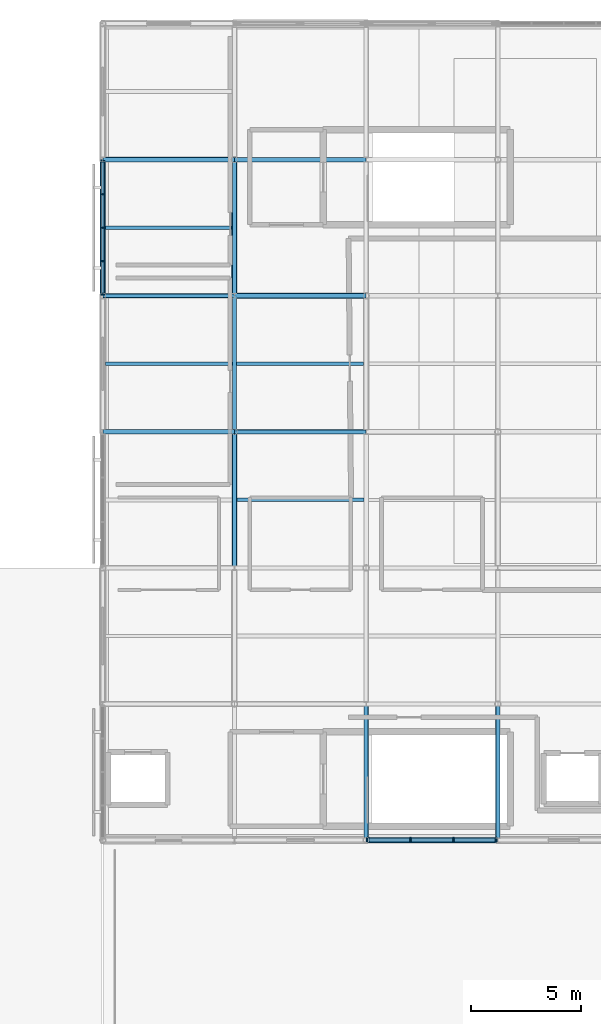
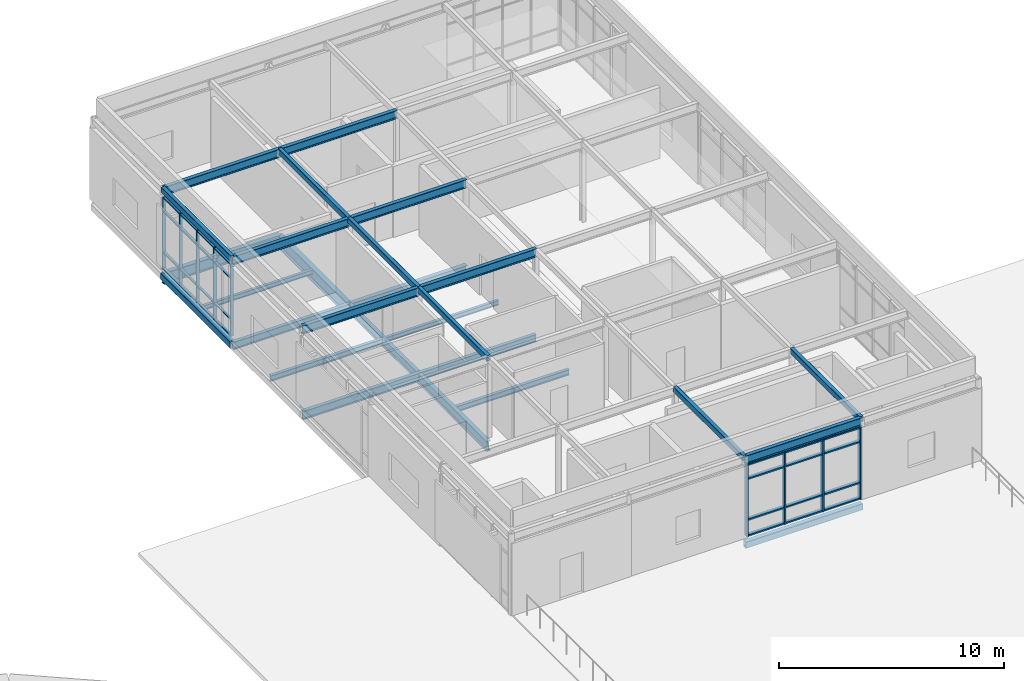
# One storey, part 7 of 16: 37 members, 27 beams, 2 elements without a shape of their own.
"""IFC4 building model written with IfcOpenShell, lengths in metres."""

from ifc_helpers import new_model, si_unit, direction, frame, origin, origin_2d, place, context, subcontext, project, spatial, rectangle, hollow_rectangle, i_section, extrude, material, layer, layer_set, material_profile, profile_set, type_object, element, aggregate, save


model = new_model("IFC4")

# Units and contexts
model_context = context("Model", 3, precision=1e-05, world=origin(), true_north=direction((0.0, 1.0)))
body_context = subcontext(model_context, "Body", "Model", "MODEL_VIEW")
ifc_project = project(units=[si_unit("LENGTHUNIT", "METRE"), si_unit("AREAUNIT", "SQUARE_METRE"), si_unit("VOLUMEUNIT", "CUBIC_METRE"), si_unit("PLANEANGLEUNIT", "RADIAN"), si_unit("MASSUNIT", "GRAM", prefix="KILO")], contexts=[model_context])

# Site, building, storey
site_placement = place(None, origin())
site = spatial("IfcSite", under=ifc_project, at=site_placement, CompositionType="ELEMENT")
building_placement = place(site_placement, origin())
building = spatial("IfcBuilding", under=site, at=building_placement, Name="Mirzam Square Science Centre", CompositionType="ELEMENT")
storey_placement = place(building_placement, frame((0.0, 0.0, 25.199951171875)))
storey = spatial("IfcBuildingStorey", under=building, at=storey_placement, Name="L05", CompositionType="ELEMENT", Elevation=25.199951171875)

# Beams
ifc_material_1 = material(Name="Steel S355", Category="steel")
ifc_material_profile_1 = material_profile(ifc_material_1, i_section(OverallWidth=0.1787109375, OverallDepth=0.409423828125, WebThickness=0.0087890625, FlangeThickness=0.014404296875, FilletRadius=0.01025390625, at=origin_2d()), Name="406x178x67UB")
ifc_profile_set_1 = profile_set([ifc_material_profile_1], Name="Steel S355")
beam_type_1 = type_object("IfcBeamType", Name="BM-UB406", PredefinedType="BEAM", material=ifc_profile_set_1)
for number, where, z_axis, x_axis, name in (
    (1, (120.0, 93.0, -0.45458984375), (1.0, 0.0, 0.0), (0.0, 1.0, 0.0), "L05 girder X21-16"),
    (2, (114.0, 99.199951171875, -0.45458984375), (1.0, 0.0, 0.0), (0.0, 1.0, 0.0), "L05 girder X20-17"),
):
    element("IfcBeam", number, at=place(storey_placement, frame(where, z_axis=z_axis, x_axis=x_axis)), inside=storey, type_object=beam_type_1, Name=name, PredefinedType="BEAM", context=body_context, shape_type="SweptSolid", body=[
        extrude(i_section(OverallWidth=0.1787109375, OverallDepth=0.409423828125, WebThickness=0.0087890625, FlangeThickness=0.014404296875, FilletRadius=0.01025390625, at=origin_2d()), origin(), (0.0, 0.0, 1.0), 6.0),
    ])
ifc_material_profile_2 = material_profile(ifc_material_1, i_section(OverallWidth=0.19140625, OverallDepth=0.4599609375, WebThickness=0.010009765625, FlangeThickness=0.01611328125, FilletRadius=0.01025390625, at=origin_2d()), Name="457x191x82UB")
ifc_profile_set_2 = profile_set([ifc_material_profile_2], Name="Steel S355")
beam_type_2 = type_object("IfcBeamType", Name="BM-UB457", PredefinedType="BEAM", material=ifc_profile_set_2)
beam_1_placement = place(storey_placement, frame((114.0, 93.0, -0.47998046875), z_axis=(1.0, 0.0, 0.0), x_axis=(0.0, 1.0, 0.0)))
element("IfcBeam", 3, at=beam_1_placement, inside=storey, type_object=beam_type_2, Name="L05 girder X20-16", PredefinedType="BEAM", context=body_context, shape_type="SweptSolid", body=[
    extrude(i_section(OverallWidth=0.19140625, OverallDepth=0.4599609375, WebThickness=0.010009765625, FlangeThickness=0.01611328125, FilletRadius=0.01025390625, at=origin_2d()), origin(), (0.0, 0.0, 1.0), 6.0),
])
beam_2_placement = place(storey_placement, frame((120.0, 93.0, -0.47998046875), z_axis=(0.0, 1.0, 0.0), x_axis=(-1.0, 0.0, 0.0)))
element("IfcBeam", 4, at=beam_2_placement, inside=storey, type_object=beam_type_2, Name="L05 girder Y21-16", PredefinedType="BEAM", context=body_context, shape_type="SweptSolid", body=[
    extrude(i_section(OverallWidth=0.19140625, OverallDepth=0.4599609375, WebThickness=0.010009765625, FlangeThickness=0.01611328125, FilletRadius=0.01025390625, at=origin_2d()), origin(), (0.0, 0.0, 1.0), 6.199951171875),
])
for number, where, z_axis, x_axis, name in (
    (5, (126.0, 74.39990234375, 4.179931640625), (1.0, 0.0, 0.0), (0.0, 1.0, 0.0), "Observatory roof beam 22-13"),
    (6, (114.0, 93.0, 4.179931640625), (1.0, 0.0, 0.0), (0.0, 1.0, 0.0), "Observatory roof beam 20-16"),
    (7, (120.0, 93.0, 4.179931640625), (1.0, 0.0, 0.0), (0.0, 1.0, 0.0), "Observatory roof beam 21-16"),
    (8, (114.0, 99.199951171875, 4.179931640625), (1.0, 0.0, 0.0), (0.0, 1.0, 0.0), "Observatory roof beam 20-17"),
    (9, (120.0, 99.199951171875, 4.179931640625), (1.0, 0.0, 0.0), (0.0, 1.0, 0.0), "Observatory roof beam 21-17"),
    (10, (114.0, 105.39990234375, 4.179931640625), (1.0, 0.0, 0.0), (0.0, 1.0, 0.0), "Observatory roof beam 20-18"),
    (11, (120.0, 105.39990234375, 4.179931640625), (1.0, 0.0, 0.0), (0.0, 1.0, 0.0), "Observatory roof beam 21-18"),
):
    element("IfcBeam", number, at=place(storey_placement, frame(where, z_axis=z_axis, x_axis=x_axis)), inside=storey, type_object=beam_type_2, Name=name, PredefinedType="BEAM", context=body_context, shape_type="SweptSolid", body=[
        extrude(i_section(OverallWidth=0.19140625, OverallDepth=0.4599609375, WebThickness=0.010009765625, FlangeThickness=0.01611328125, FilletRadius=0.01025390625, at=origin_2d()), origin(), (0.0, 0.0, 1.0), 6.0),
    ])
ifc_material_profile_3 = material_profile(ifc_material_1, i_section(OverallWidth=0.2099609375, OverallDepth=0.53662109375, WebThickness=0.0107421875, FlangeThickness=0.017333984375, FilletRadius=0.0126953125, at=origin_2d()), Name="533x210x101UB")
ifc_profile_set_3 = profile_set([ifc_material_profile_3], Name="Steel S355")
beam_type_3 = type_object("IfcBeamType", Name="BM-UB533", PredefinedType="BEAM", material=ifc_profile_set_3)
beam_3_placement = place(storey_placement, frame((120.0, 86.800048828125, -0.518310546875), z_axis=(0.0, 1.0, 0.0), x_axis=(-1.0, 0.0, 0.0)))
element("IfcBeam", 12, at=beam_3_placement, inside=storey, type_object=beam_type_3, Name="L05 girder Y21-15", PredefinedType="BEAM", context=body_context, shape_type="SweptSolid", body=[
    extrude(i_section(OverallWidth=0.2099609375, OverallDepth=0.53662109375, WebThickness=0.0107421875, FlangeThickness=0.017333984375, FilletRadius=0.0126953125, at=origin_2d()), origin(), (0.0, 0.0, 1.0), 6.199951171875),
])
ifc_material_profile_4 = material_profile(ifc_material_1, i_section(OverallWidth=0.22900390625, OverallDepth=0.6123046875, WebThickness=0.011962890625, FlangeThickness=0.01953125, FilletRadius=0.0126953125, at=origin_2d()), Name="610x229x125UB")
ifc_profile_set_4 = profile_set([ifc_material_profile_4], Name="Steel S355")
beam_type_4 = type_object("IfcBeamType", Name="BM-UB610", PredefinedType="BEAM", material=ifc_profile_set_4)
for number, where, z_axis, x_axis, name in (
    (13, (120.0, 99.199951171875, -0.55615234375), (1.0, 0.0, 0.0), (0.0, 1.0, 0.0), "L05 girder X21-17"),
    (14, (114.0, 105.39990234375, -0.55615234375), (1.0, 0.0, 0.0), (0.0, 1.0, 0.0), "L05 girder X20-18"),
):
    element("IfcBeam", number, at=place(storey_placement, frame(where, z_axis=z_axis, x_axis=x_axis)), inside=storey, type_object=beam_type_4, Name=name, PredefinedType="BEAM", context=body_context, shape_type="SweptSolid", body=[
        extrude(i_section(OverallWidth=0.22900390625, OverallDepth=0.6123046875, WebThickness=0.011962890625, FlangeThickness=0.01953125, FilletRadius=0.0126953125, at=origin_2d()), origin(), (0.0, 0.0, 1.0), 6.0),
    ])
ifc_material_profile_5 = material_profile(ifc_material_1, i_section(OverallWidth=0.25439453125, OverallDepth=0.6875, WebThickness=0.01318359375, FlangeThickness=0.02099609375, FilletRadius=0.01513671875, at=origin_2d()), Name="686x254x152UB")
ifc_profile_set_5 = profile_set([ifc_material_profile_5], Name="Steel S355")
beam_type_5 = type_object("IfcBeamType", Name="BM-UB686", PredefinedType="BEAM", material=ifc_profile_set_5)
beam_4_placement = place(storey_placement, frame((120.0, 99.199951171875, -0.59375), z_axis=(0.0, 1.0, 0.0), x_axis=(-1.0, 0.0, 0.0)))
element("IfcBeam", 15, at=beam_4_placement, inside=storey, type_object=beam_type_5, Name="L05 girder Y21-17", PredefinedType="BEAM", context=body_context, shape_type="SweptSolid", body=[
    extrude(i_section(OverallWidth=0.25439453125, OverallDepth=0.6875, WebThickness=0.01318359375, FlangeThickness=0.02099609375, FilletRadius=0.01513671875, at=origin_2d()), origin(), (0.0, 0.0, 1.0), 6.199951171875),
])

# Curtain wall, members
ifc_material_2 = material(Name="Anodised Aluminium and Low-E Solar Glass", Category="aluminium")
ifc_layer_1 = layer(ifc_material_2, 0.159912109375)
ifc_layer_set_1 = layer_set([ifc_layer_1], Name="CW-COURT-B")
curtain_wall_type_1 = type_object("IfcCurtainWallType", Name="CW-COURT-B", PredefinedType="USERDEFINED", material=ifc_layer_set_1)
curtain_wall_1_placement = place(storey_placement, origin())
curtain_wall_1 = element("IfcCurtainWall", 16, at=curtain_wall_1_placement, inside=storey, type_object=curtain_wall_type_1, Name="L05 unitised curtain wall 171", ObjectType="UNITISED CURTAIN WALL", PredefinedType="USERDEFINED")
ifc_material_3 = material(Name="Anodised Architectural Aluminium 6063-T6", Category="aluminium")
ifc_material_profile_6 = material_profile(ifc_material_3, rectangle(XDim=0.06005859375, YDim=0.159912109375, at=origin_2d()), Name="ALU-MULL-160x60x4")
ifc_profile_set_6 = profile_set([ifc_material_profile_6], Name="Anodised Architectural Aluminium 6063-T6")
member_type_1 = type_object("IfcMemberType", Name="CWM-160", PredefinedType="MULLION", material=ifc_profile_set_6)
member_1_placement = place(storey_placement, frame((114.0, 105.31494140625, 0.0), z_axis=(0.0, 0.0, 1.0), x_axis=(0.0, -1.0, 0.0)))
member_1 = element("IfcMember", 17, at=member_1_placement, type_object=member_type_1, Name="CW-04 mullion 1", PredefinedType="MULLION", context=body_context, shape_type="SweptSolid", body=[
    extrude(rectangle(XDim=0.06005859375, YDim=0.159912109375, at=origin_2d()), origin(), (0.0, 0.0, 1.0), 3.920166015625),
])
member_2_placement = place(storey_placement, frame((114.0, 103.822509765625, 0.0), z_axis=(0.0, 0.0, 1.0), x_axis=(0.0, -1.0, 0.0)))
member_2 = element("IfcMember", 18, at=member_2_placement, type_object=member_type_1, Name="CW-04 mullion 2", PredefinedType="MULLION", context=body_context, shape_type="SweptSolid", body=[
    extrude(rectangle(XDim=0.06005859375, YDim=0.159912109375, at=origin_2d()), origin(), (0.0, 0.0, 1.0), 3.920166015625),
])
member_3_placement = place(storey_placement, frame((114.0, 102.300048828125, 0.0), z_axis=(0.0, 0.0, 1.0), x_axis=(0.0, -1.0, 0.0)))
member_3 = element("IfcMember", 19, at=member_3_placement, type_object=member_type_1, Name="CW-04 mullion 3", PredefinedType="MULLION", context=body_context, shape_type="SweptSolid", body=[
    extrude(rectangle(XDim=0.06005859375, YDim=0.159912109375, at=origin_2d()), origin(), (0.0, 0.0, 1.0), 3.920166015625),
])
member_4_placement = place(storey_placement, frame((114.0, 100.777587890625, 0.0), z_axis=(0.0, 0.0, 1.0), x_axis=(0.0, -1.0, 0.0)))
member_4 = element("IfcMember", 20, at=member_4_placement, type_object=member_type_1, Name="CW-04 mullion 4", PredefinedType="MULLION", context=body_context, shape_type="SweptSolid", body=[
    extrude(rectangle(XDim=0.06005859375, YDim=0.159912109375, at=origin_2d()), origin(), (0.0, 0.0, 1.0), 3.920166015625),
])
member_5_placement = place(storey_placement, frame((114.0, 99.284912109375, 0.0), z_axis=(0.0, 0.0, 1.0), x_axis=(0.0, -1.0, 0.0)))
member_5 = element("IfcMember", 21, at=member_5_placement, type_object=member_type_1, Name="CW-04 mullion 5", PredefinedType="MULLION", context=body_context, shape_type="SweptSolid", body=[
    extrude(rectangle(XDim=0.06005859375, YDim=0.159912109375, at=origin_2d()), origin(), (0.0, 0.0, 1.0), 3.920166015625),
])

ifc_layer_2 = layer(ifc_material_2, 0.239990234375)
ifc_layer_set_2 = layer_set([ifc_layer_2], Name="CW-EAST-B")
curtain_wall_type_2 = type_object("IfcCurtainWallType", Name="CW-EAST-B", PredefinedType="USERDEFINED", material=ifc_layer_set_2)
curtain_wall_2_placement = place(storey_placement, origin())
curtain_wall_2 = element("IfcCurtainWall", 22, at=curtain_wall_2_placement, inside=storey, type_object=curtain_wall_type_2, Name="L05 unitised curtain wall 166", ObjectType="UNITISED CURTAIN WALL", PredefinedType="USERDEFINED")
ifc_material_profile_7 = material_profile(ifc_material_3, rectangle(XDim=0.074951171875, YDim=0.239990234375, at=origin_2d()), Name="ALU-MULL-240x75x5")
ifc_profile_set_7 = profile_set([ifc_material_profile_7], Name="Anodised Architectural Aluminium 6063-T6")
member_type_2 = type_object("IfcMemberType", Name="CWM-240", PredefinedType="MULLION", material=ifc_profile_set_7)
member_6_placement = place(storey_placement, frame((126.092529296875, 74.39990234375, 0.0), z_axis=(0.0, 0.0, 1.0), x_axis=(1.0, 0.0, 0.0)))
member_6 = element("IfcMember", 23, at=member_6_placement, type_object=member_type_2, Name="CW-06 mullion 1", PredefinedType="MULLION", context=body_context, shape_type="SweptSolid", body=[
    extrude(rectangle(XDim=0.074951171875, YDim=0.239990234375, at=origin_2d()), origin(), (0.0, 0.0, 1.0), 3.920166015625),
])
member_7_placement = place(storey_placement, frame((128.018310546875, 74.39990234375, 0.0), z_axis=(0.0, 0.0, 1.0), x_axis=(1.0, 0.0, 0.0)))
member_7 = element("IfcMember", 24, at=member_7_placement, type_object=member_type_2, Name="CW-06 mullion 2", PredefinedType="MULLION", context=body_context, shape_type="SweptSolid", body=[
    extrude(rectangle(XDim=0.074951171875, YDim=0.239990234375, at=origin_2d()), origin(), (0.0, 0.0, 1.0), 3.920166015625),
])
member_8_placement = place(storey_placement, frame((129.981689453125, 74.39990234375, 0.0), z_axis=(0.0, 0.0, 1.0), x_axis=(1.0, 0.0, 0.0)))
member_8 = element("IfcMember", 25, at=member_8_placement, type_object=member_type_2, Name="CW-06 mullion 3", PredefinedType="MULLION", context=body_context, shape_type="SweptSolid", body=[
    extrude(rectangle(XDim=0.074951171875, YDim=0.239990234375, at=origin_2d()), origin(), (0.0, 0.0, 1.0), 3.920166015625),
])
member_9_placement = place(storey_placement, frame((131.907470703125, 74.39990234375, 0.0), z_axis=(0.0, 0.0, 1.0), x_axis=(1.0, 0.0, 0.0)))
member_9 = element("IfcMember", 26, at=member_9_placement, type_object=member_type_2, Name="CW-06 mullion 4", PredefinedType="MULLION", context=body_context, shape_type="SweptSolid", body=[
    extrude(rectangle(XDim=0.074951171875, YDim=0.239990234375, at=origin_2d()), origin(), (0.0, 0.0, 1.0), 3.920166015625),
])

# Member
ifc_material_profile_8 = material_profile(ifc_material_3, rectangle(XDim=0.1201171875, YDim=0.06005859375, at=origin_2d()), Name="ALU-TRAN-120x60x4")
ifc_profile_set_8 = profile_set([ifc_material_profile_8], Name="Anodised Architectural Aluminium 6063-T6")
member_type_3 = type_object("IfcMemberType", Name="CWT-120", PredefinedType="USERDEFINED", material=ifc_profile_set_8)
member_10_placement = place(storey_placement, frame((114.0, 105.284912109375, 0.030029296875), z_axis=(0.0, -1.0, 0.0), x_axis=(1.0, 0.0, 0.0)))
member_10 = element("IfcMember", 27, at=member_10_placement, type_object=member_type_3, Name="CW-04 transom 1.1", ObjectType="TRANSOM", PredefinedType="USERDEFINED", context=body_context, shape_type="SweptSolid", body=[
    extrude(rectangle(XDim=0.1201171875, YDim=0.06005859375, at=origin_2d()), origin(), (0.0, 0.0, 1.0), 1.432373046875),
])

member_11_placement = place(storey_placement, frame((114.0, 105.284912109375, 0.900146484375), z_axis=(0.0, -1.0, 0.0), x_axis=(1.0, 0.0, 0.0)))
member_11 = element("IfcMember", 28, at=member_11_placement, type_object=member_type_3, Name="CW-04 transom 1.2", ObjectType="TRANSOM", PredefinedType="USERDEFINED", context=body_context, shape_type="SweptSolid", body=[
    extrude(rectangle(XDim=0.1201171875, YDim=0.06005859375, at=origin_2d()), origin(), (0.0, 0.0, 1.0), 1.432373046875),
])

member_12_placement = place(storey_placement, frame((114.0, 105.284912109375, 3.1201171875), z_axis=(0.0, -1.0, 0.0), x_axis=(1.0, 0.0, 0.0)))
member_12 = element("IfcMember", 29, at=member_12_placement, type_object=member_type_3, Name="CW-04 transom 1.3", ObjectType="TRANSOM", PredefinedType="USERDEFINED", context=body_context, shape_type="SweptSolid", body=[
    extrude(rectangle(XDim=0.1201171875, YDim=0.06005859375, at=origin_2d()), origin(), (0.0, 0.0, 1.0), 1.432373046875),
])

member_13_placement = place(storey_placement, frame((114.0, 105.284912109375, 3.89013671875), z_axis=(0.0, -1.0, 0.0), x_axis=(1.0, 0.0, 0.0)))
member_13 = element("IfcMember", 30, at=member_13_placement, type_object=member_type_3, Name="CW-04 transom 1.4", ObjectType="TRANSOM", PredefinedType="USERDEFINED", context=body_context, shape_type="SweptSolid", body=[
    extrude(rectangle(XDim=0.1201171875, YDim=0.06005859375, at=origin_2d()), origin(), (0.0, 0.0, 1.0), 1.432373046875),
])

member_14_placement = place(storey_placement, frame((114.0, 103.79248046875, 0.030029296875), z_axis=(0.0, -1.0, 0.0), x_axis=(1.0, 0.0, 0.0)))
member_14 = element("IfcMember", 31, at=member_14_placement, type_object=member_type_3, Name="CW-04 transom 2.1", ObjectType="TRANSOM", PredefinedType="USERDEFINED", context=body_context, shape_type="SweptSolid", body=[
    extrude(rectangle(XDim=0.1201171875, YDim=0.06005859375, at=origin_2d()), origin(), (0.0, 0.0, 1.0), 1.46240234375),
])

member_15_placement = place(storey_placement, frame((114.0, 103.79248046875, 0.900146484375), z_axis=(0.0, -1.0, 0.0), x_axis=(1.0, 0.0, 0.0)))
member_15 = element("IfcMember", 32, at=member_15_placement, type_object=member_type_3, Name="CW-04 transom 2.2", ObjectType="TRANSOM", PredefinedType="USERDEFINED", context=body_context, shape_type="SweptSolid", body=[
    extrude(rectangle(XDim=0.1201171875, YDim=0.06005859375, at=origin_2d()), origin(), (0.0, 0.0, 1.0), 1.46240234375),
])

member_16_placement = place(storey_placement, frame((114.0, 103.79248046875, 3.1201171875), z_axis=(0.0, -1.0, 0.0), x_axis=(1.0, 0.0, 0.0)))
member_16 = element("IfcMember", 33, at=member_16_placement, type_object=member_type_3, Name="CW-04 transom 2.3", ObjectType="TRANSOM", PredefinedType="USERDEFINED", context=body_context, shape_type="SweptSolid", body=[
    extrude(rectangle(XDim=0.1201171875, YDim=0.06005859375, at=origin_2d()), origin(), (0.0, 0.0, 1.0), 1.46240234375),
])

member_17_placement = place(storey_placement, frame((114.0, 103.79248046875, 3.89013671875), z_axis=(0.0, -1.0, 0.0), x_axis=(1.0, 0.0, 0.0)))
member_17 = element("IfcMember", 34, at=member_17_placement, type_object=member_type_3, Name="CW-04 transom 2.4", ObjectType="TRANSOM", PredefinedType="USERDEFINED", context=body_context, shape_type="SweptSolid", body=[
    extrude(rectangle(XDim=0.1201171875, YDim=0.06005859375, at=origin_2d()), origin(), (0.0, 0.0, 1.0), 1.46240234375),
])

member_18_placement = place(storey_placement, frame((114.0, 102.27001953125, 0.030029296875), z_axis=(0.0, -1.0, 0.0), x_axis=(1.0, 0.0, 0.0)))
member_18 = element("IfcMember", 35, at=member_18_placement, type_object=member_type_3, Name="CW-04 transom 3.1", ObjectType="TRANSOM", PredefinedType="USERDEFINED", context=body_context, shape_type="SweptSolid", body=[
    extrude(rectangle(XDim=0.1201171875, YDim=0.06005859375, at=origin_2d()), origin(), (0.0, 0.0, 1.0), 1.46240234375),
])

member_19_placement = place(storey_placement, frame((114.0, 102.27001953125, 0.900146484375), z_axis=(0.0, -1.0, 0.0), x_axis=(1.0, 0.0, 0.0)))
member_19 = element("IfcMember", 36, at=member_19_placement, type_object=member_type_3, Name="CW-04 transom 3.2", ObjectType="TRANSOM", PredefinedType="USERDEFINED", context=body_context, shape_type="SweptSolid", body=[
    extrude(rectangle(XDim=0.1201171875, YDim=0.06005859375, at=origin_2d()), origin(), (0.0, 0.0, 1.0), 1.46240234375),
])

member_20_placement = place(storey_placement, frame((114.0, 102.27001953125, 3.1201171875), z_axis=(0.0, -1.0, 0.0), x_axis=(1.0, 0.0, 0.0)))
member_20 = element("IfcMember", 37, at=member_20_placement, type_object=member_type_3, Name="CW-04 transom 3.3", ObjectType="TRANSOM", PredefinedType="USERDEFINED", context=body_context, shape_type="SweptSolid", body=[
    extrude(rectangle(XDim=0.1201171875, YDim=0.06005859375, at=origin_2d()), origin(), (0.0, 0.0, 1.0), 1.46240234375),
])

member_21_placement = place(storey_placement, frame((114.0, 102.27001953125, 3.89013671875), z_axis=(0.0, -1.0, 0.0), x_axis=(1.0, 0.0, 0.0)))
member_21 = element("IfcMember", 38, at=member_21_placement, type_object=member_type_3, Name="CW-04 transom 3.4", ObjectType="TRANSOM", PredefinedType="USERDEFINED", context=body_context, shape_type="SweptSolid", body=[
    extrude(rectangle(XDim=0.1201171875, YDim=0.06005859375, at=origin_2d()), origin(), (0.0, 0.0, 1.0), 1.46240234375),
])

member_22_placement = place(storey_placement, frame((114.0, 100.74755859375, 0.030029296875), z_axis=(0.0, -1.0, 0.0), x_axis=(1.0, 0.0, 0.0)))
member_22 = element("IfcMember", 39, at=member_22_placement, type_object=member_type_3, Name="CW-04 transom 4.1", ObjectType="TRANSOM", PredefinedType="USERDEFINED", context=body_context, shape_type="SweptSolid", body=[
    extrude(rectangle(XDim=0.1201171875, YDim=0.06005859375, at=origin_2d()), origin(), (0.0, 0.0, 1.0), 1.4326171875),
])

member_23_placement = place(storey_placement, frame((114.0, 100.74755859375, 0.900146484375), z_axis=(0.0, -1.0, 0.0), x_axis=(1.0, 0.0, 0.0)))
member_23 = element("IfcMember", 40, at=member_23_placement, type_object=member_type_3, Name="CW-04 transom 4.2", ObjectType="TRANSOM", PredefinedType="USERDEFINED", context=body_context, shape_type="SweptSolid", body=[
    extrude(rectangle(XDim=0.1201171875, YDim=0.06005859375, at=origin_2d()), origin(), (0.0, 0.0, 1.0), 1.4326171875),
])

member_24_placement = place(storey_placement, frame((114.0, 100.74755859375, 3.1201171875), z_axis=(0.0, -1.0, 0.0), x_axis=(1.0, 0.0, 0.0)))
member_24 = element("IfcMember", 41, at=member_24_placement, type_object=member_type_3, Name="CW-04 transom 4.3", ObjectType="TRANSOM", PredefinedType="USERDEFINED", context=body_context, shape_type="SweptSolid", body=[
    extrude(rectangle(XDim=0.1201171875, YDim=0.06005859375, at=origin_2d()), origin(), (0.0, 0.0, 1.0), 1.4326171875),
])

member_25_placement = place(storey_placement, frame((114.0, 100.74755859375, 3.89013671875), z_axis=(0.0, -1.0, 0.0), x_axis=(1.0, 0.0, 0.0)))
member_25 = element("IfcMember", 42, at=member_25_placement, type_object=member_type_3, Name="CW-04 transom 4.4", ObjectType="TRANSOM", PredefinedType="USERDEFINED", context=body_context, shape_type="SweptSolid", body=[
    extrude(rectangle(XDim=0.1201171875, YDim=0.06005859375, at=origin_2d()), origin(), (0.0, 0.0, 1.0), 1.4326171875),
])

aggregate(curtain_wall_1, [member_1, member_2, member_3, member_4, member_5, member_10, member_11, member_12, member_13, member_14, member_15, member_16, member_17, member_18, member_19, member_20, member_21, member_22, member_23, member_24, member_25])

ifc_material_profile_9 = material_profile(ifc_material_3, rectangle(XDim=0.179931640625, YDim=0.074951171875, at=origin_2d()), Name="ALU-TRAN-180x75x5")
ifc_profile_set_9 = profile_set([ifc_material_profile_9], Name="Anodised Architectural Aluminium 6063-T6")
member_type_4 = type_object("IfcMemberType", Name="CWT-180", PredefinedType="USERDEFINED", material=ifc_profile_set_9)
member_26_placement = place(storey_placement, frame((126.1298828125, 74.39990234375, 0.03759765625), z_axis=(1.0, 0.0, 0.0), x_axis=(0.0, 1.0, 0.0)))
member_26 = element("IfcMember", 43, at=member_26_placement, type_object=member_type_4, Name="CW-06 transom 1.1", ObjectType="TRANSOM", PredefinedType="USERDEFINED", context=body_context, shape_type="SweptSolid", body=[
    extrude(rectangle(XDim=0.179931640625, YDim=0.074951171875, at=origin_2d()), origin(), (0.0, 0.0, 1.0), 1.850830078125),
])

member_27_placement = place(storey_placement, frame((126.1298828125, 74.39990234375, 0.900146484375), z_axis=(1.0, 0.0, 0.0), x_axis=(0.0, 1.0, 0.0)))
member_27 = element("IfcMember", 44, at=member_27_placement, type_object=member_type_4, Name="CW-06 transom 1.2", ObjectType="TRANSOM", PredefinedType="USERDEFINED", context=body_context, shape_type="SweptSolid", body=[
    extrude(rectangle(XDim=0.179931640625, YDim=0.074951171875, at=origin_2d()), origin(), (0.0, 0.0, 1.0), 1.850830078125),
])

member_28_placement = place(storey_placement, frame((126.1298828125, 74.39990234375, 3.1201171875), z_axis=(1.0, 0.0, 0.0), x_axis=(0.0, 1.0, 0.0)))
member_28 = element("IfcMember", 45, at=member_28_placement, type_object=member_type_4, Name="CW-06 transom 1.3", ObjectType="TRANSOM", PredefinedType="USERDEFINED", context=body_context, shape_type="SweptSolid", body=[
    extrude(rectangle(XDim=0.179931640625, YDim=0.074951171875, at=origin_2d()), origin(), (0.0, 0.0, 1.0), 1.850830078125),
])

member_29_placement = place(storey_placement, frame((126.1298828125, 74.39990234375, 3.882568359375), z_axis=(1.0, 0.0, 0.0), x_axis=(0.0, 1.0, 0.0)))
member_29 = element("IfcMember", 46, at=member_29_placement, type_object=member_type_4, Name="CW-06 transom 1.4", ObjectType="TRANSOM", PredefinedType="USERDEFINED", context=body_context, shape_type="SweptSolid", body=[
    extrude(rectangle(XDim=0.179931640625, YDim=0.074951171875, at=origin_2d()), origin(), (0.0, 0.0, 1.0), 1.850830078125),
])

member_30_placement = place(storey_placement, frame((128.055908203125, 74.39990234375, 0.03759765625), z_axis=(1.0, 0.0, 0.0), x_axis=(0.0, 1.0, 0.0)))
member_30 = element("IfcMember", 47, at=member_30_placement, type_object=member_type_4, Name="CW-06 transom 2.1", ObjectType="TRANSOM", PredefinedType="USERDEFINED", context=body_context, shape_type="SweptSolid", body=[
    extrude(rectangle(XDim=0.179931640625, YDim=0.074951171875, at=origin_2d()), origin(), (0.0, 0.0, 1.0), 1.88818359375),
])

member_31_placement = place(storey_placement, frame((128.055908203125, 74.39990234375, 0.900146484375), z_axis=(1.0, 0.0, 0.0), x_axis=(0.0, 1.0, 0.0)))
member_31 = element("IfcMember", 48, at=member_31_placement, type_object=member_type_4, Name="CW-06 transom 2.2", ObjectType="TRANSOM", PredefinedType="USERDEFINED", context=body_context, shape_type="SweptSolid", body=[
    extrude(rectangle(XDim=0.179931640625, YDim=0.074951171875, at=origin_2d()), origin(), (0.0, 0.0, 1.0), 1.88818359375),
])

member_32_placement = place(storey_placement, frame((128.055908203125, 74.39990234375, 3.1201171875), z_axis=(1.0, 0.0, 0.0), x_axis=(0.0, 1.0, 0.0)))
member_32 = element("IfcMember", 49, at=member_32_placement, type_object=member_type_4, Name="CW-06 transom 2.3", ObjectType="TRANSOM", PredefinedType="USERDEFINED", context=body_context, shape_type="SweptSolid", body=[
    extrude(rectangle(XDim=0.179931640625, YDim=0.074951171875, at=origin_2d()), origin(), (0.0, 0.0, 1.0), 1.88818359375),
])

member_33_placement = place(storey_placement, frame((128.055908203125, 74.39990234375, 3.882568359375), z_axis=(1.0, 0.0, 0.0), x_axis=(0.0, 1.0, 0.0)))
member_33 = element("IfcMember", 50, at=member_33_placement, type_object=member_type_4, Name="CW-06 transom 2.4", ObjectType="TRANSOM", PredefinedType="USERDEFINED", context=body_context, shape_type="SweptSolid", body=[
    extrude(rectangle(XDim=0.179931640625, YDim=0.074951171875, at=origin_2d()), origin(), (0.0, 0.0, 1.0), 1.88818359375),
])

member_34_placement = place(storey_placement, frame((130.019287109375, 74.39990234375, 0.03759765625), z_axis=(1.0, 0.0, 0.0), x_axis=(0.0, 1.0, 0.0)))
member_34 = element("IfcMember", 51, at=member_34_placement, type_object=member_type_4, Name="CW-06 transom 3.1", ObjectType="TRANSOM", PredefinedType="USERDEFINED", context=body_context, shape_type="SweptSolid", body=[
    extrude(rectangle(XDim=0.179931640625, YDim=0.074951171875, at=origin_2d()), origin(), (0.0, 0.0, 1.0), 1.850830078125),
])

member_35_placement = place(storey_placement, frame((130.019287109375, 74.39990234375, 0.900146484375), z_axis=(1.0, 0.0, 0.0), x_axis=(0.0, 1.0, 0.0)))
member_35 = element("IfcMember", 52, at=member_35_placement, type_object=member_type_4, Name="CW-06 transom 3.2", ObjectType="TRANSOM", PredefinedType="USERDEFINED", context=body_context, shape_type="SweptSolid", body=[
    extrude(rectangle(XDim=0.179931640625, YDim=0.074951171875, at=origin_2d()), origin(), (0.0, 0.0, 1.0), 1.850830078125),
])

member_36_placement = place(storey_placement, frame((130.019287109375, 74.39990234375, 3.1201171875), z_axis=(1.0, 0.0, 0.0), x_axis=(0.0, 1.0, 0.0)))
member_36 = element("IfcMember", 53, at=member_36_placement, type_object=member_type_4, Name="CW-06 transom 3.3", ObjectType="TRANSOM", PredefinedType="USERDEFINED", context=body_context, shape_type="SweptSolid", body=[
    extrude(rectangle(XDim=0.179931640625, YDim=0.074951171875, at=origin_2d()), origin(), (0.0, 0.0, 1.0), 1.850830078125),
])

member_37_placement = place(storey_placement, frame((130.019287109375, 74.39990234375, 3.882568359375), z_axis=(1.0, 0.0, 0.0), x_axis=(0.0, 1.0, 0.0)))
member_37 = element("IfcMember", 54, at=member_37_placement, type_object=member_type_4, Name="CW-06 transom 3.4", ObjectType="TRANSOM", PredefinedType="USERDEFINED", context=body_context, shape_type="SweptSolid", body=[
    extrude(rectangle(XDim=0.179931640625, YDim=0.074951171875, at=origin_2d()), origin(), (0.0, 0.0, 1.0), 1.850830078125),
])

aggregate(curtain_wall_2, [member_6, member_7, member_8, member_9, member_26, member_27, member_28, member_29, member_30, member_31, member_32, member_33, member_34, member_35, member_36, member_37])

# Beams
ifc_material_profile_10 = material_profile(ifc_material_1, i_section(OverallWidth=0.146484375, OverallDepth=0.256103515625, WebThickness=0.00634765625, FlangeThickness=0.010986328125, FilletRadius=0.007568359375, at=origin_2d()), Name="254x146x37UB")
ifc_profile_set_10 = profile_set([ifc_material_profile_10], Name="Steel S355")
beam_type_6 = type_object("IfcBeamType", Name="JS-UB254", PredefinedType="JOIST", material=ifc_profile_set_10)
beam_5_placement = place(storey_placement, frame((114.125, 102.300048828125, -0.3779296875), z_axis=(1.0, 0.0, 0.0), x_axis=(0.0, 1.0, 0.0)))
element("IfcBeam", 55, at=beam_5_placement, inside=storey, type_object=beam_type_6, Name="L05 composite joist 20-17", PredefinedType="JOIST", context=body_context, shape_type="SweptSolid", body=[
    extrude(i_section(OverallWidth=0.146484375, OverallDepth=0.256103515625, WebThickness=0.00634765625, FlangeThickness=0.010986328125, FilletRadius=0.007568359375, at=origin_2d()), origin(), (0.0, 0.0, 1.0), 5.747802734375),
])
beam_6_placement = place(storey_placement, frame((120.095703125, 96.10009765625, -0.3779296875), z_axis=(1.0, 0.0, 0.0), x_axis=(0.0, 1.0, 0.0)))
element("IfcBeam", 56, at=beam_6_placement, inside=storey, type_object=beam_type_6, Name="L05 composite joist 21-16", PredefinedType="JOIST", context=body_context, shape_type="SweptSolid", body=[
    extrude(i_section(OverallWidth=0.146484375, OverallDepth=0.256103515625, WebThickness=0.00634765625, FlangeThickness=0.010986328125, FilletRadius=0.007568359375, at=origin_2d()), origin(), (0.0, 0.0, 1.0), 5.777099609375),
])
ifc_material_profile_11 = material_profile(ifc_material_1, i_section(OverallWidth=0.165771484375, OverallDepth=0.306640625, WebThickness=0.006591796875, FlangeThickness=0.01171875, FilletRadius=0.0087890625, at=origin_2d()), Name="305x165x46UB")
ifc_profile_set_11 = profile_set([ifc_material_profile_11], Name="Steel S355")
beam_type_7 = type_object("IfcBeamType", Name="JS-UB305", PredefinedType="JOIST", material=ifc_profile_set_11)
beam_7_placement = place(storey_placement, frame((114.125, 96.10009765625, -0.4033203125), z_axis=(1.0, 0.0, 0.0), x_axis=(0.0, 1.0, 0.0)))
element("IfcBeam", 57, at=beam_7_placement, inside=storey, type_object=beam_type_7, Name="L05 composite joist 20-16", PredefinedType="JOIST", context=body_context, shape_type="SweptSolid", body=[
    extrude(i_section(OverallWidth=0.165771484375, OverallDepth=0.306640625, WebThickness=0.006591796875, FlangeThickness=0.01171875, FilletRadius=0.0087890625, at=origin_2d()), origin(), (0.0, 0.0, 1.0), 5.779296875),
])
beam_8_placement = place(storey_placement, frame((120.10498046875, 89.89990234375, -0.4033203125), z_axis=(1.0, 0.0, 0.0), x_axis=(0.0, 1.0, 0.0)))
element("IfcBeam", 58, at=beam_8_placement, inside=storey, type_object=beam_type_7, Name="L05 composite joist 21-15", PredefinedType="JOIST", context=body_context, shape_type="SweptSolid", body=[
    extrude(i_section(OverallWidth=0.165771484375, OverallDepth=0.306640625, WebThickness=0.006591796875, FlangeThickness=0.01171875, FilletRadius=0.0087890625, at=origin_2d()), origin(), (0.0, 0.0, 1.0), 5.79931640625),
])
ifc_material_profile_12 = material_profile(ifc_material_1, hollow_rectangle(XDim=0.199951171875, YDim=0.300048828125, WallThickness=0.010009765625, InnerFilletRadius=0.010009765625, OuterFilletRadius=0.02001953125, at=origin_2d()), Name="300x200x10.0RHS")
ifc_profile_set_12 = profile_set([ifc_material_profile_12], Name="Steel S355")
beam_type_8 = type_object("IfcBeamType", Name="SP-RHS300", PredefinedType="SPANDREL", material=ifc_profile_set_12)
for number, where, z_axis, x_axis, name in (
    (59, (114.0, 99.199951171875, 4.260009765625), (0.0, 1.0, 0.0), (-1.0, 0.0, 0.0), "Observatory roof edge beam 20-17"),
    (60, (120.0, 86.800048828125, 4.260009765625), (0.0, 1.0, 0.0), (-1.0, 0.0, 0.0), "Observatory roof edge beam 21-15"),
    (61, (120.0, 93.0, 4.260009765625), (0.0, 1.0, 0.0), (-1.0, 0.0, 0.0), "Observatory roof edge beam 21-16"),
    (62, (120.0, 99.199951171875, 4.260009765625), (0.0, 1.0, 0.0), (-1.0, 0.0, 0.0), "Observatory roof edge beam 21-17"),
):
    element("IfcBeam", number, at=place(storey_placement, frame(where, z_axis=z_axis, x_axis=x_axis)), inside=storey, type_object=beam_type_8, Name=name, PredefinedType="SPANDREL", context=body_context, shape_type="SweptSolid", body=[
        extrude(hollow_rectangle(XDim=0.199951171875, YDim=0.300048828125, WallThickness=0.010009765625, InnerFilletRadius=0.010009765625, OuterFilletRadius=0.02001953125, at=origin_2d()), origin(), (0.0, 0.0, 1.0), 6.199951171875),
    ])
for number, where, z_axis, x_axis, name in (
    (63, (126.0, 74.39990234375, 4.260009765625), (0.0, 1.0, 0.0), (-1.0, 0.0, 0.0), "Observatory roof edge beam 22-13"),
    (64, (132.0, 74.39990234375, 4.260009765625), (0.0, 1.0, 0.0), (-1.0, 0.0, 0.0), "Observatory roof edge beam 23-13"),
):
    element("IfcBeam", number, at=place(storey_placement, frame(where, z_axis=z_axis, x_axis=x_axis)), inside=storey, type_object=beam_type_8, Name=name, PredefinedType="SPANDREL", context=body_context, shape_type="SweptSolid", body=[
        extrude(hollow_rectangle(XDim=0.199951171875, YDim=0.300048828125, WallThickness=0.010009765625, InnerFilletRadius=0.010009765625, OuterFilletRadius=0.02001953125, at=origin_2d()), origin(), (0.0, 0.0, 1.0), 6.2001953125),
    ])
ifc_material_profile_13 = material_profile(ifc_material_1, hollow_rectangle(XDim=0.25, YDim=0.35009765625, WallThickness=0.012451171875, InnerFilletRadius=0.012451171875, OuterFilletRadius=0.02490234375, at=origin_2d()), Name="350x250x12.5RHS")
ifc_profile_set_13 = profile_set([ifc_material_profile_13], Name="Steel S355")
beam_type_9 = type_object("IfcBeamType", Name="SP-RHS350", PredefinedType="SPANDREL", material=ifc_profile_set_13)
beam_9_placement = place(storey_placement, frame((126.0, 74.39990234375, -0.425048828125), z_axis=(1.0, 0.0, 0.0), x_axis=(0.0, 1.0, 0.0)))
element("IfcBeam", 65, at=beam_9_placement, inside=storey, type_object=beam_type_9, Name="L05 girder X22-13", PredefinedType="SPANDREL", context=body_context, shape_type="SweptSolid", body=[
    extrude(hollow_rectangle(XDim=0.25, YDim=0.35009765625, WallThickness=0.012451171875, InnerFilletRadius=0.012451171875, OuterFilletRadius=0.02490234375, at=origin_2d()), origin(), (0.0, 0.0, 1.0), 6.0),
])
beam_10_placement = place(storey_placement, frame((114.0, 99.199951171875, -0.425048828125), z_axis=(0.0, 1.0, 0.0), x_axis=(-1.0, 0.0, 0.0)))
element("IfcBeam", 66, at=beam_10_placement, inside=storey, type_object=beam_type_9, Name="L05 girder Y20-17", PredefinedType="SPANDREL", context=body_context, shape_type="SweptSolid", body=[
    extrude(hollow_rectangle(XDim=0.25, YDim=0.35009765625, WallThickness=0.012451171875, InnerFilletRadius=0.012451171875, OuterFilletRadius=0.02490234375, at=origin_2d()), origin(), (0.0, 0.0, 1.0), 6.199951171875),
])

save(model, "model.ifc")
